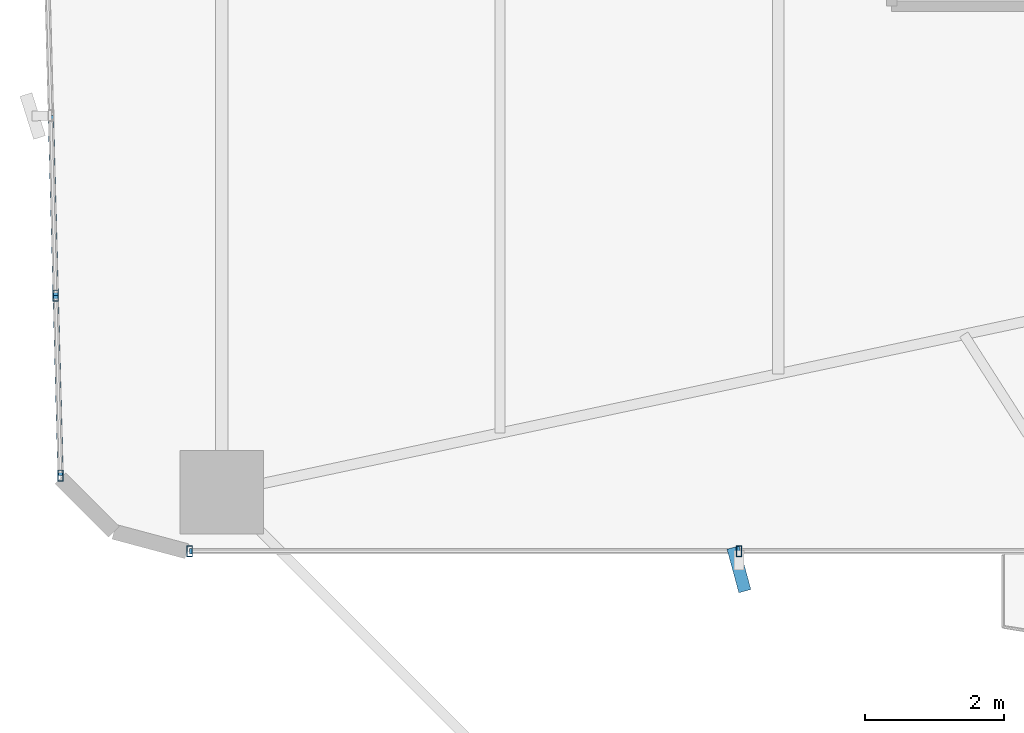
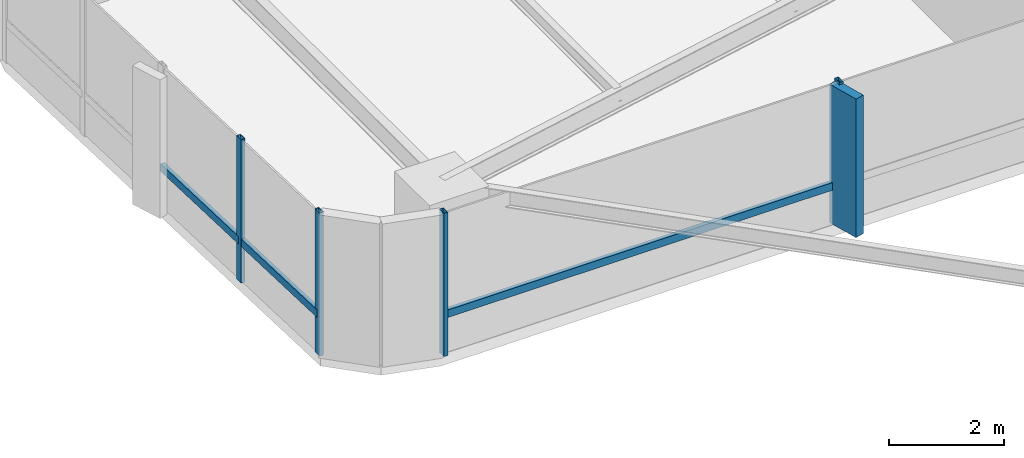
# One storey, part 6 of 25: 8 members, 2 elements without a shape of their own.
"""IFC4 building model written with IfcOpenShell, lengths in metres."""

from ifc_helpers import new_model, si_unit, direction, frame, origin, origin_2d, place, context, subcontext, project, spatial, rectangle, hollow_rectangle, extrude, source, transform, mapped, material, material_profile, profile_set, type_object, element, aggregate, save


model = new_model("IFC4")

# Units and contexts
model_context = context("Model", 3, precision=1e-05, world=origin(), true_north=direction((0.0, 1.0)))
body_context = subcontext(model_context, "Body", "Model", "MODEL_VIEW")
ifc_project = project(units=[si_unit("LENGTHUNIT", "METRE"), si_unit("AREAUNIT", "SQUARE_METRE"), si_unit("VOLUMEUNIT", "CUBIC_METRE"), si_unit("PLANEANGLEUNIT", "RADIAN"), si_unit("MASSUNIT", "GRAM", prefix="KILO")], contexts=[model_context])

# Site, building, storey
site_placement = place(None, origin())
site = spatial("IfcSite", under=ifc_project, at=site_placement, CompositionType="ELEMENT")
building_placement = place(site_placement, origin())
building = spatial("IfcBuilding", under=site, at=building_placement, Name="Sahyath Konkavel Grand Hotel", CompositionType="ELEMENT")
storey_placement = place(building_placement, frame((0.0, 0.0, 71.14990234375)))
storey = spatial("IfcBuildingStorey", under=building, at=storey_placement, Name="L19", CompositionType="ELEMENT", Elevation=71.14990234375)

# Curtain wall, member
ifc_material_1 = material(Name="Anodised Bronze Aluminium & Low-E Glazing", Category="aluminium")
curtain_wall_type = type_object("IfcCurtainWallType", Name="CW-ZONE1", PredefinedType="NOTDEFINED", material=ifc_material_1)
curtain_wall_1_placement = place(storey_placement, origin())
curtain_wall_1 = element("IfcCurtainWall", 1, at=curtain_wall_1_placement, inside=storey, type_object=curtain_wall_type, Name="L19 Unitised Curtain Wall F23", PredefinedType="NOTDEFINED")
ifc_material_2 = material(Name="Anodised Bronze Aluminium", Category="aluminium")
ifc_material_profile_1 = material_profile(ifc_material_2, hollow_rectangle(XDim=0.080078125, YDim=0.159912109375, WallThickness=0.006103515625, at=origin_2d()), Name="RHS 160x80x6")
ifc_profile_set_1 = profile_set([ifc_material_profile_1], Name="Anodised Bronze Aluminium")
member_type_1 = type_object("IfcMemberType", Name="CW-TRN-160", PredefinedType="USERDEFINED", material=ifc_profile_set_1)
shared_shape_1 = source(origin(), body_context, "Body", "SweptSolid", [
    extrude(hollow_rectangle(XDim=0.080078125, YDim=0.159912109375, WallThickness=0.006103515625, at=origin_2d()), origin(), (0.0, 0.0, 1.0), 7.909912109375),
])
member_1_placement = place(storey_placement, frame((-22.659912109375, -6.800048828125, 0.85009765625), z_axis=(1.0, 0.0, 0.0), x_axis=(0.0, 1.0, 0.0)))
member_1 = element("IfcMember", 2, at=member_1_placement, type_object=member_type_1, Name="L19 Curtain Wall Transom F23-0-spandrel", ObjectType="TRANSOM", PredefinedType="USERDEFINED", context=body_context, shape_type="MappedRepresentation", body=[
    mapped(shared_shape_1, transform((0.0, 0.0, 0.0), scale=1.0)),
])

# Curtain wall, members
curtain_wall_2_placement = place(storey_placement, origin())
curtain_wall_2 = element("IfcCurtainWall", 3, at=curtain_wall_2_placement, inside=storey, type_object=curtain_wall_type, Name="L19 Unitised Curtain Wall F20", PredefinedType="NOTDEFINED")
shared_shape_2 = source(origin(), body_context, "Body", "SweptSolid", [
    extrude(hollow_rectangle(XDim=0.080078125, YDim=0.159912109375, WallThickness=0.006103515625, at=origin_2d()), origin(), (0.0, 0.0, 1.0), 2.593505859375),
])
member_2_placement = place(storey_placement, frame((-24.6591796875, -0.52490234375, 0.85009765625), z_axis=(0.02682902444, -0.999640036937, 0.0), x_axis=(0.999640036937, 0.02682902444, 0.0)))
member_2 = element("IfcMember", 4, at=member_2_placement, type_object=member_type_1, Name="L19 Curtain Wall Transom F20-2-spandrel", ObjectType="TRANSOM", PredefinedType="USERDEFINED", context=body_context, shape_type="MappedRepresentation", body=[
    mapped(shared_shape_2, transform((0.0, 0.0, 0.0), scale=1.0)),
])
member_3_placement = place(storey_placement, frame((-24.589599609375, -3.117431640625, 0.85009765625), z_axis=(0.026923093252, -0.999637507825, 0.0), x_axis=(0.999637507825, 0.026923093252, 0.0)))
member_3 = element("IfcMember", 5, at=member_3_placement, type_object=member_type_1, Name="L19 Curtain Wall Transom F20-3-spandrel", ObjectType="TRANSOM", PredefinedType="USERDEFINED", context=body_context, shape_type="MappedRepresentation", body=[
    mapped(shared_shape_2, transform((0.0, 0.0, 0.0), scale=1.0)),
])
ifc_material_profile_2 = material_profile(ifc_material_2, hollow_rectangle(XDim=0.080078125, YDim=0.159912109375, WallThickness=0.006103515625, at=origin_2d()), Name="RHS 160x80x6")
ifc_profile_set_2 = profile_set([ifc_material_profile_2], Name="Anodised Bronze Aluminium")
member_type_2 = type_object("IfcMemberType", Name="CW-MUL-160", PredefinedType="MULLION", material=ifc_profile_set_2)
shared_shape_3 = source(origin(), body_context, "Body", "SweptSolid", [
    extrude(hollow_rectangle(XDim=0.080078125, YDim=0.159912109375, WallThickness=0.006103515625, at=origin_2d()), origin(), (0.0, 0.0, 1.0), 3.030029296875),
])
member_4_placement = place(storey_placement, frame((-24.589599609375, -3.117431640625, 0.0), z_axis=(0.0, 0.0, 1.0), x_axis=(1.0, 0.0, 0.0)))
member_4 = element("IfcMember", 6, at=member_4_placement, type_object=member_type_2, Name="L19 Curtain Wall Mullion F20-3", PredefinedType="MULLION", context=body_context, shape_type="MappedRepresentation", body=[
    mapped(shared_shape_3, transform((0.0, 0.0, 0.0), scale=1.0)),
])
member_5_placement = place(storey_placement, frame((-24.519775390625, -5.7099609375, 0.0), z_axis=(0.0, 0.0, 1.0), x_axis=(1.0, 0.0, 0.0)))
member_5 = element("IfcMember", 7, at=member_5_placement, type_object=member_type_2, Name="L19 Curtain Wall Mullion F20-4", PredefinedType="MULLION", context=body_context, shape_type="MappedRepresentation", body=[
    mapped(shared_shape_3, transform((0.0, 0.0, 0.0), scale=1.0)),
])
aggregate(curtain_wall_2, [member_4, member_5, member_2, member_3])

# Member
member_6_placement = place(storey_placement, frame((-22.659912109375, -6.800048828125, 0.0), z_axis=(0.0, 0.0, 1.0), x_axis=(1.0, 0.0, 0.0)))
member_6 = element("IfcMember", 8, at=member_6_placement, type_object=member_type_2, Name="L19 Curtain Wall Mullion F23-0", PredefinedType="MULLION", context=body_context, shape_type="MappedRepresentation", body=[
    mapped(shared_shape_3, transform((0.0, 0.0, 0.0), scale=1.0)),
])

member_7_placement = place(storey_placement, frame((-14.75, -6.800048828125, 0.0), z_axis=(0.0, 0.0, 1.0), x_axis=(1.0, 0.0, 0.0)))
member_7 = element("IfcMember", 9, at=member_7_placement, type_object=member_type_2, Name="L19 Curtain Wall Mullion F23-1", PredefinedType="MULLION", context=body_context, shape_type="MappedRepresentation", body=[
    mapped(shared_shape_3, transform((0.0, 0.0, 0.0), scale=1.0)),
])

ifc_material_3 = material(Name="Warm Buff Sandstone Cladding on Concrete C50/60", Category="masonry")
ifc_material_profile_3 = material_profile(ifc_material_3, rectangle(XDim=0.179931640625, YDim=0.64990234375, at=origin_2d()), Name="FIN 180x650")
ifc_profile_set_3 = profile_set([ifc_material_profile_3], Name="Warm Buff Sandstone Cladding on Concrete C50/60")
member_type_3 = type_object("IfcMemberType", Name="FIN-SANDSTONE-650", PredefinedType="MULLION", material=ifc_profile_set_3)
shared_shape_4 = source(origin(), body_context, "Body", "SweptSolid", [
    extrude(rectangle(XDim=0.179931640625, YDim=0.64990234375, at=origin_2d()), origin(), (0.0, 0.0, 1.0), 2.929931640625),
])
member_8_placement = place(storey_placement, frame((-14.75, -7.06005859375, 0.050048828125), z_axis=(0.0, 0.0, 1.0), x_axis=(0.965016494472, 0.262189178641, 0.0)))
member_8 = element("IfcMember", 10, at=member_8_placement, type_object=member_type_3, Name="L19 Sandstone Vertical Solar Fin FIN F23-1", PredefinedType="MULLION", context=body_context, shape_type="MappedRepresentation", body=[
    mapped(shared_shape_4, transform((0.0, 0.0, 0.0), scale=1.0)),
])

aggregate(curtain_wall_1, [member_6, member_7, member_8, member_1])

save(model, "model.ifc")
